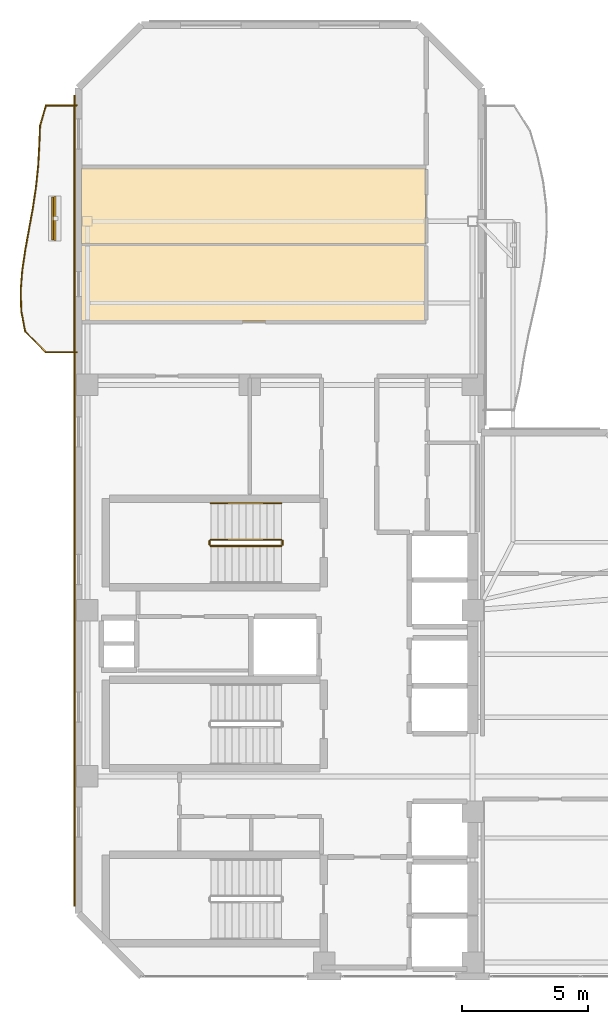
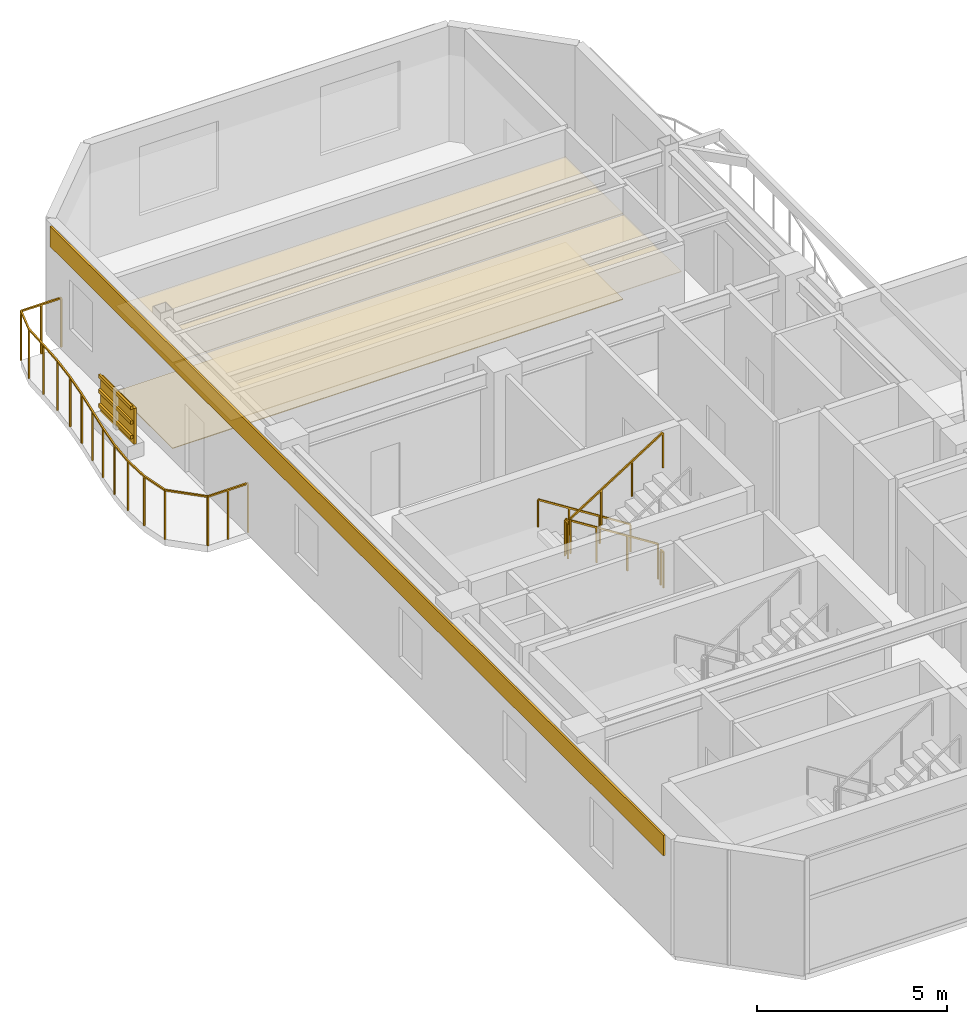
# One storey, part 14 of 15: 6 railings, 4 coverings, 4 shading devices.
"""IFC4 building model written with IfcOpenShell, lengths in metres."""

import ifcopenshell
import ifcopenshell.guid

model = None  # the IFC model being written
_history = None  # IfcOwnerHistory: only IFC2X3 demands one
_inside = {}  # id of a spatial element -> (the spatial element, [elements in it])
_under = {}  # id of a project, library or spatial element -> (it, [spatial elements below it])
_declared = {}  # id of a project -> (the project, [libraries it declares])
_typed = {}  # id of a type object -> (the type object, [elements of that type])
_made_of = {}  # id of a material, layer set ... -> (it, [elements and type objects made of it])


def new_model(schema):
    """Start an empty IFC model of exactly this schema.

    Asked for "IFC4X3", IfcOpenShell would pick the latest addendum, in which some entities
    have other attributes; the version numbers below select the first issue.
    IFC2X3 requires an IfcOwnerHistory on every rooted entity: one is made here for all.
    """
    global model, _history
    if schema == "IFC4X3":
        model = ifcopenshell.file(schema_version=(4, 3, 0, 0))
    else:
        model = ifcopenshell.file(schema=schema)
    _inside.clear()
    _under.clear()
    _declared.clear()
    _typed.clear()
    _made_of.clear()
    _history = None
    if model.schema == "IFC2X3":
        org = make("IfcOrganization", Name="unknown")
        user = make(
            "IfcPersonAndOrganization",
            ThePerson=make("IfcPerson", FamilyName="unknown"),
            TheOrganization=org,
        )
        app = make(
            "IfcApplication",
            ApplicationDeveloper=org,
            Version="unknown",
            ApplicationFullName="unknown",
            ApplicationIdentifier="unknown",
        )
        _history = make(
            "IfcOwnerHistory",
            OwningUser=user,
            OwningApplication=app,
            ChangeAction="ADDED",
            CreationDate=0,
        )
    return model


def make(cls, **values):
    """One entity of the class cls with the attributes given. An attribute that is None is left unset."""
    return model.create_entity(
        cls, **{name: value for name, value in values.items() if value is not None}
    )


def rooted(cls, **values):
    """An entity with a GlobalId (a new one), such as an element, a storey or a relation."""
    return make(cls, GlobalId=ifcopenshell.guid.new(), OwnerHistory=_history, **values)


def si_unit(unit_type, name, prefix=None):
    """IfcSIUnit, for example si_unit("LENGTHUNIT", "METRE", prefix="MILLI")."""
    return make("IfcSIUnit", UnitType=unit_type, Prefix=prefix, Name=name)


def assignment(units):
    """IfcUnitAssignment: the units of a project."""
    return None if units is None else make("IfcUnitAssignment", Units=units)


def point(xyz):
    """IfcCartesianPoint."""
    return None if xyz is None else make("IfcCartesianPoint", Coordinates=xyz)


def direction(xyz):
    """IfcDirection."""
    return None if xyz is None else make("IfcDirection", DirectionRatios=xyz)


def frame(location, z_axis=None, x_axis=None):
    """IfcAxis2Placement3D, a coordinate frame: its origin and axes. An axis left out is left unset."""
    return make(
        "IfcAxis2Placement3D",
        Location=point(location),
        Axis=direction(z_axis),
        RefDirection=direction(x_axis),
    )


def frame_2d(location, x_axis=None):
    """IfcAxis2Placement2D, a coordinate frame in the plane: its origin and x axis."""
    return make(
        "IfcAxis2Placement2D", Location=point(location), RefDirection=direction(x_axis)
    )


def origin():
    """The frame at (0, 0, 0) with its axes left unset."""
    return frame((0.0, 0.0, 0.0))


def origin_2d():
    """The frame at (0, 0) in the plane with its x axis left unset."""
    return frame_2d((0.0, 0.0))


def place(relative_to, where):
    """IfcLocalPlacement: puts the frame where relative to a parent placement (None: the world)."""
    return make(
        "IfcLocalPlacement", PlacementRelTo=relative_to, RelativePlacement=where
    )


def context(
    kind, dimensions, precision=None, world=None, true_north=None, identifier=None
):
    """IfcGeometricRepresentationContext, for example the 3D "Model" context."""
    return make(
        "IfcGeometricRepresentationContext",
        ContextIdentifier=identifier,
        ContextType=kind,
        CoordinateSpaceDimension=dimensions,
        Precision=precision,
        WorldCoordinateSystem=world,
        TrueNorth=true_north,
    )


def subcontext(parent, identifier, kind, view, scale=None):
    """IfcGeometricRepresentationSubContext, for example "Body" below "Model"."""
    return make(
        "IfcGeometricRepresentationSubContext",
        ContextIdentifier=identifier,
        ContextType=kind,
        ParentContext=parent,
        TargetScale=scale,
        TargetView=view,
    )


def project(units=None, contexts=None):
    """IfcProject with its units and contexts."""
    return rooted(
        "IfcProject",
        Name="project",
        RepresentationContexts=contexts,
        UnitsInContext=assignment(units),
    )


def spatial(cls, under=None, at=None, **own):
    """A site, building, storey or space (cls), placed at a placement, below another one or the project."""
    s = rooted(cls, ObjectPlacement=at, **own)
    if under is not None:
        _under.setdefault(under.id(), (under, []))[1].append(s)
    return s


def polyline(points):
    """IfcPolyline through the points."""
    return make("IfcPolyline", Points=[point(p) for p in points])


def profile(cls, at=None, kind="AREA", **sizes):
    """A parametric profile (cls). Its sizes go by their IFC names, for example OverallWidth=200.0."""
    return make(cls, ProfileType=kind, Position=at, **sizes)


def rectangle(**sizes):
    """IfcRectangleProfileDef."""
    return profile("IfcRectangleProfileDef", **sizes)


def outline(outer, holes=None, kind="AREA"):
    """IfcArbitraryClosedProfileDef: a profile drawn as a closed curve; with holes, ...WithVoids."""
    if holes is None:
        return make("IfcArbitraryClosedProfileDef", ProfileType=kind, OuterCurve=outer)
    return make(
        "IfcArbitraryProfileDefWithVoids",
        ProfileType=kind,
        OuterCurve=outer,
        InnerCurves=holes,
    )


def extrude(swept, where, along, depth):
    """IfcExtrudedAreaSolid: the profile swept, set in the frame where, extruded along a direction by depth."""
    return make(
        "IfcExtrudedAreaSolid",
        SweptArea=swept,
        Position=where,
        ExtrudedDirection=direction(along),
        Depth=depth,
    )


def shape(context_of_items, identifier, shape_type, items):
    """IfcShapeRepresentation: the items that make up one representation, for example the "Body"."""
    return make(
        "IfcShapeRepresentation",
        ContextOfItems=context_of_items,
        RepresentationIdentifier=identifier,
        RepresentationType=shape_type,
        Items=items,
    )


def material(Name=None, Category=None):
    """IfcMaterial."""
    return make("IfcMaterial", Name=Name, Category=Category)


def layer(
    of_material, thickness, ventilated=None, Name=None, Category=None, Priority=None
):
    """IfcMaterialLayer: one layer of a wall or slab, of a material (None: an air gap)."""
    return make(
        "IfcMaterialLayer",
        Material=of_material,
        LayerThickness=thickness,
        IsVentilated=ventilated,
        Name=Name,
        Category=Category,
        Priority=Priority,
    )


def layer_set(layers, Name=None):
    """IfcMaterialLayerSet."""
    return make("IfcMaterialLayerSet", MaterialLayers=layers, LayerSetName=Name)


def material_profile(
    of_material, cross_section, Name=None, Category=None, Priority=None
):
    """IfcMaterialProfile: a cross section and its material."""
    return make(
        "IfcMaterialProfile",
        Name=Name,
        Material=of_material,
        Profile=cross_section,
        Priority=Priority,
        Category=Category,
    )


def profile_set(profiles, Name=None, composite=None):
    """IfcMaterialProfileSet."""
    return make(
        "IfcMaterialProfileSet",
        Name=Name,
        MaterialProfiles=profiles,
        CompositeProfile=composite,
    )


def made_of(thing, what):
    """Note that an element or type object is made of a material, layer set ...; save() writes the relation."""
    if what is not None:
        _made_of.setdefault(what.id(), (what, []))[1].append(thing)
    return thing


def type_object(cls, material=None, **own):
    """A type object (cls), such as IfcWallType, which elements share."""
    return made_of(rooted(cls, **own), material)


def element(
    cls,
    number,
    at=None,
    inside=None,
    cuts=None,
    type_object=None,
    material=None,
    context=None,
    identifier="Body",
    shape_type=None,
    held_by="IfcProductDefinitionShape",
    body=None,
    shapes=None,
    **own,
):
    """One element of the class cls, such as IfcWall. Its Tag is "e" and its number.

    at: its placement. inside: the storey or other place that contains it. cuts: it is an
    opening in that element (IfcRelVoidsElement). A single representation is given by context,
    identifier, shape_type and body (its items); several are given by shapes. held_by: the class
    of the entity that holds the representations. save() writes the other relations.
    """
    e = rooted(cls, Tag="e%d" % number, ObjectPlacement=at, **own)
    if body is not None:
        shapes = [shape(context, identifier, shape_type, body)]
    if shapes is not None:
        e.Representation = make(held_by, Representations=shapes)
    if inside is not None:
        _inside.setdefault(inside.id(), (inside, []))[1].append(e)
    if cuts is not None:
        rooted(
            "IfcRelVoidsElement", RelatingBuildingElement=cuts, RelatedOpeningElement=e
        )
    if type_object is not None:
        _typed.setdefault(type_object.id(), (type_object, []))[1].append(e)
    return made_of(e, material)


def aggregate(whole, parts):
    """IfcRelAggregates: a whole, such as a stair, and the parts it consists of."""
    return rooted("IfcRelAggregates", RelatingObject=whole, RelatedObjects=parts)


def save(model, path):
    """Write the relations noted so far, then the file.

    IfcRelAggregates (storeys below a building ...), IfcRelContainedInSpatialStructure (elements
    in a storey), IfcRelDefinesByType, IfcRelAssociatesMaterial and IfcRelDeclares: one each for
    every whole, place, type object, material and project.
    """
    for whole, parts in _under.values():
        aggregate(whole, parts)
    for where, things in _inside.values():
        rooted(
            "IfcRelContainedInSpatialStructure",
            RelatedElements=things,
            RelatingStructure=where,
        )
    for kind, things in _typed.values():
        rooted("IfcRelDefinesByType", RelatedObjects=things, RelatingType=kind)
    for what, things in _made_of.values():
        rooted("IfcRelAssociatesMaterial", RelatedObjects=things, RelatingMaterial=what)
    for by, libraries in _declared.values():
        rooted("IfcRelDeclares", RelatingContext=by, RelatedDefinitions=libraries)
    model.write(path)


model = new_model("IFC4")

# Units and contexts
model_context = context("Model", 3, precision=1e-05, world=origin(), true_north=direction((0.0, 1.0)))
body_context = subcontext(model_context, "Body", "Model", "MODEL_VIEW")
ifc_project = project(units=[si_unit("LENGTHUNIT", "METRE"), si_unit("AREAUNIT", "SQUARE_METRE"), si_unit("VOLUMEUNIT", "CUBIC_METRE"), si_unit("PLANEANGLEUNIT", "RADIAN"), si_unit("MASSUNIT", "GRAM", prefix="KILO")], contexts=[model_context])

# Site, building, storey
site_placement = place(None, origin())
site = spatial("IfcSite", under=ifc_project, at=site_placement, CompositionType="ELEMENT")
building_placement = place(site_placement, origin())
building = spatial("IfcBuilding", under=site, at=building_placement, Name="Mawjaban Terraces University", CompositionType="ELEMENT")
storey_placement = place(building_placement, frame((0.0, 0.0, 295.0)))
storey = spatial("IfcBuildingStorey", under=building, at=storey_placement, Name="L72", CompositionType="ELEMENT", Elevation=295.0)

# Coverings
ifc_material_1 = material(Name="Acoustic mineral fibre ceiling tile", Category="masonry")
ifc_layer_1 = layer(ifc_material_1, 0.02001953125)
ifc_layer_set_1 = layer_set([ifc_layer_1], Name="Acoustic mineral fibre ceiling tile")
covering_type_1 = type_object("IfcCoveringType", Name="AcousticMineralCeiling_20", PredefinedType="CEILING", material=ifc_layer_set_1)
covering_1_placement = place(storey_placement, frame((0.0, 0.0, 2.75)))
element("IfcCovering", 1, at=covering_1_placement, inside=storey, type_object=covering_type_1, Name="L72 Departmental Office 8 Acoustic Ceiling", PredefinedType="CEILING", context=body_context, shape_type="SweptSolid", body=[
    extrude(outline(polyline([(22.114990234375, 29.0380859375), (22.114990234375, 26.030029296875), (35.77001953125, 26.030029296875), (35.77001953125, 29.0380859375), (22.114990234375, 29.0380859375)])), origin(), (0.0, 0.0, 1.0), 0.02001953125),
])
covering_2_placement = place(storey_placement, frame((0.0, 0.0, 2.75)))
element("IfcCovering", 2, at=covering_2_placement, inside=storey, type_object=covering_type_1, Name="L72 Quiet Reading Room 9 Acoustic Ceiling", PredefinedType="CEILING", context=body_context, shape_type="SweptSolid", body=[
    extrude(outline(polyline([(22.114990234375, 32.10595703125), (22.114990234375, 29.097900390625), (35.77001953125, 29.097900390625), (35.77001953125, 32.10595703125), (22.114990234375, 32.10595703125)])), origin(), (0.0, 0.0, 1.0), 0.02001953125),
])

# Railings
ifc_material_2 = material(Name="Galvanised powder-coated steel S355", Category="steel")
railing_type_1 = type_object("IfcRailingType", Name="BalconyBalustrade_1600", PredefinedType="BALUSTRADE", material=ifc_material_2)
railing_1_placement = place(storey_placement, frame((21.919921875, 24.800048828125, 0.0)))
element("IfcRailing", 3, at=railing_1_placement, inside=storey, type_object=railing_type_1, Name="L72 Balcony Guardrail west", PredefinedType="BALUSTRADE", context=body_context, shape_type="SweptSolid", body=[
    extrude(rectangle(XDim=0.048095703125, YDim=0.048095703125, at=origin_2d()), frame((0.0, 0.0, 1.576171875), z_axis=(-1.0, 0.0, 0.0), x_axis=(0.0, -1.0, 0.0)), (0.0, 0.0, 1.0), 1.219970703125),
    extrude(rectangle(XDim=0.048095703125, YDim=0.048095703125, at=origin_2d()), frame((-1.219970703125, 0.0, 1.576171875), z_axis=(-0.710568043921, 0.703628492145, 0.0), x_axis=(-0.703628492145, -0.710568043921, 0.0)), (0.0, 0.0, 1.0), 1.160888671875),
    extrude(rectangle(XDim=0.048095703125, YDim=0.048095703125, at=origin_2d()), frame((-2.044921875, 0.81689453125, 1.576171875), z_axis=(-0.186612427055, 0.982433612041, 0.0), x_axis=(-0.982433612041, -0.186612427055, 0.0)), (0.0, 0.0, 1.0), 0.830810546875),
    extrude(rectangle(XDim=0.048095703125, YDim=0.048095703125, at=origin_2d()), frame((-2.199951171875, 1.633056640625, 1.576171875), z_axis=(-0.029276148669, 0.999571361694, 0.0), x_axis=(-0.999571361694, -0.029276148669, 0.0)), (0.0, 0.0, 1.0), 0.817138671875),
    extrude(rectangle(XDim=0.048095703125, YDim=0.048095703125, at=origin_2d()), frame((-2.223876953125, 2.449951171875, 1.576171875), z_axis=(0.079247882329, 0.996854940875, 0.0), x_axis=(-0.996854940875, 0.079247882329, 0.0)), (0.0, 0.0, 1.0), 0.819580078125),
    extrude(rectangle(XDim=0.048095703125, YDim=0.048095703125, at=origin_2d()), frame((-2.158935546875, 3.266845703125, 1.576171875), z_axis=(0.147920908399, 0.988999193558, 0.0), x_axis=(-0.988999193558, 0.147920908399, 0.0)), (0.0, 0.0, 1.0), 0.8251953125),
    extrude(rectangle(XDim=0.048095703125, YDim=0.048095703125, at=origin_2d()), frame((-2.036865234375, 4.0830078125, 1.576171875), z_axis=(0.178212541097, 0.983992017344, 0.0), x_axis=(-0.983992017344, 0.178212541097, 0.0)), (0.0, 0.0, 1.0), 0.830078125),
    extrude(rectangle(XDim=0.048095703125, YDim=0.048095703125, at=origin_2d()), frame((-1.888916015625, 4.89990234375, 1.576171875), z_axis=(0.178160985967, 0.98400135319, 0.0), x_axis=(-0.98400135319, 0.178160985967, 0.0)), (0.0, 0.0, 1.0), 0.830322265625),
    extrude(rectangle(XDim=0.048095703125, YDim=0.048095703125, at=origin_2d()), frame((-1.740966796875, 5.717041015625, 1.576171875), z_axis=(0.147964200706, 0.988992717521, 0.0), x_axis=(-0.988992717521, 0.147964200706, 0.0)), (0.0, 0.0, 1.0), 0.824951171875),
    extrude(rectangle(XDim=0.048095703125, YDim=0.048095703125, at=origin_2d()), frame((-1.618896484375, 6.532958984375, 1.576171875), z_axis=(0.10462289655, 0.994511965497, 0.0), x_axis=(-0.994511965497, 0.10462289655, 0.0)), (0.0, 0.0, 1.0), 0.8212890625),
    extrude(rectangle(XDim=0.048095703125, YDim=0.048095703125, at=origin_2d()), frame((-1.532958984375, 7.349853515625, 1.576171875), z_axis=(0.057567949493, 0.998341590434, 0.0), x_axis=(-0.998341590434, 0.057567949493, 0.0)), (0.0, 0.0, 1.0), 0.818603515625),
    extrude(rectangle(XDim=0.048095703125, YDim=0.048095703125, at=origin_2d()), frame((-1.48583984375, 8.1669921875, 1.576171875), z_axis=(0.039168005907, 0.999232639235, 0.0), x_axis=(-0.999232639235, 0.039168005907, 0.0)), (0.0, 0.0, 1.0), 0.816650390625),
    extrude(rectangle(XDim=0.048095703125, YDim=0.048095703125, at=origin_2d()), frame((-1.453857421875, 8.98291015625, 1.576171875), z_axis=(0.275176346112, 0.961393768724, 0.0), x_axis=(-0.961393768724, 0.275176346112, 0.0)), (0.0, 0.0, 1.0), 0.849853515625),
    extrude(rectangle(XDim=0.048095703125, YDim=0.048095703125, at=origin_2d()), frame((-1.219970703125, 9.800048828125, 1.576171875), z_axis=(1.0, 0.0, 0.0), x_axis=(0.0, 1.0, 0.0)), (0.0, 0.0, 1.0), 1.219970703125),
    extrude(rectangle(XDim=0.0419921875, YDim=0.0419921875, at=origin_2d()), origin(), (0.0, 0.0, 1.0), 1.552001953125),
    extrude(rectangle(XDim=0.0419921875, YDim=0.0419921875, at=origin_2d()), frame((-0.60986328125, 0.0, 0.0)), (0.0, 0.0, 1.0), 1.552001953125),
    extrude(rectangle(XDim=0.0419921875, YDim=0.0419921875, at=origin_2d()), frame((-1.219970703125, 0.0, 0.0)), (0.0, 0.0, 1.0), 1.552001953125),
    extrude(rectangle(XDim=0.0419921875, YDim=0.0419921875, at=origin_2d()), frame((-2.044921875, 0.81689453125, 0.0)), (0.0, 0.0, 1.0), 1.552001953125),
    extrude(rectangle(XDim=0.0419921875, YDim=0.0419921875, at=origin_2d()), frame((-2.199951171875, 1.633056640625, 0.0)), (0.0, 0.0, 1.0), 1.552001953125),
    extrude(rectangle(XDim=0.0419921875, YDim=0.0419921875, at=origin_2d()), frame((-2.223876953125, 2.449951171875, 0.0)), (0.0, 0.0, 1.0), 1.552001953125),
    extrude(rectangle(XDim=0.0419921875, YDim=0.0419921875, at=origin_2d()), frame((-2.158935546875, 3.266845703125, 0.0)), (0.0, 0.0, 1.0), 1.552001953125),
    extrude(rectangle(XDim=0.0419921875, YDim=0.0419921875, at=origin_2d()), frame((-2.036865234375, 4.0830078125, 0.0)), (0.0, 0.0, 1.0), 1.552001953125),
    extrude(rectangle(XDim=0.0419921875, YDim=0.0419921875, at=origin_2d()), frame((-1.888916015625, 4.89990234375, 0.0)), (0.0, 0.0, 1.0), 1.552001953125),
    extrude(rectangle(XDim=0.0419921875, YDim=0.0419921875, at=origin_2d()), frame((-1.740966796875, 5.717041015625, 0.0)), (0.0, 0.0, 1.0), 1.552001953125),
    extrude(rectangle(XDim=0.0419921875, YDim=0.0419921875, at=origin_2d()), frame((-1.618896484375, 6.532958984375, 0.0)), (0.0, 0.0, 1.0), 1.552001953125),
    extrude(rectangle(XDim=0.0419921875, YDim=0.0419921875, at=origin_2d()), frame((-1.532958984375, 7.349853515625, 0.0)), (0.0, 0.0, 1.0), 1.552001953125),
    extrude(rectangle(XDim=0.0419921875, YDim=0.0419921875, at=origin_2d()), frame((-1.48583984375, 8.1669921875, 0.0)), (0.0, 0.0, 1.0), 1.552001953125),
    extrude(rectangle(XDim=0.0419921875, YDim=0.0419921875, at=origin_2d()), frame((-1.453857421875, 8.98291015625, 0.0)), (0.0, 0.0, 1.0), 1.552001953125),
    extrude(rectangle(XDim=0.0419921875, YDim=0.0419921875, at=origin_2d()), frame((-1.219970703125, 9.800048828125, 0.0)), (0.0, 0.0, 1.0), 1.552001953125),
    extrude(rectangle(XDim=0.0419921875, YDim=0.0419921875, at=origin_2d()), frame((-0.60986328125, 9.800048828125, 0.0)), (0.0, 0.0, 1.0), 1.552001953125),
    extrude(rectangle(XDim=0.0419921875, YDim=0.0419921875, at=origin_2d()), frame((0.0, 9.800048828125, 0.0)), (0.0, 0.0, 1.0), 1.552001953125),
])
ifc_material_3 = material(Name="Brushed stainless steel 316", Category="steel")
railing_type_2 = type_object("IfcRailingType", Name="StairWallHandrail_900", PredefinedType="HANDRAIL", material=ifc_material_3)
railing_2_placement = place(storey_placement, frame((30.050048828125, 18.800048828125, 0.17724609375)))
element("IfcRailing", 4, at=railing_2_placement, inside=storey, type_object=railing_type_2, Name="L72 ST-2 stair handrail 1", PredefinedType="HANDRAIL", context=body_context, shape_type="SweptSolid", body=[
    extrude(rectangle(XDim=0.048095703125, YDim=0.048095703125, at=origin_2d()), frame((0.0, 0.0, 0.8759765625), z_axis=(-0.844908973607, 0.0, 0.534910110503), x_axis=(0.0, -1.0, 0.0)), (0.0, 0.0, 1.0), 3.31396484375),
    extrude(rectangle(XDim=0.0419921875, YDim=0.0419921875, at=origin_2d()), origin(), (0.0, 0.0, 1.0), 0.851806640625),
    extrude(rectangle(XDim=0.0419921875, YDim=0.0419921875, at=origin_2d()), frame((-0.933349609375, 0.0, 0.5908203125)), (0.0, 0.0, 1.0), 0.851806640625),
    extrude(rectangle(XDim=0.0419921875, YDim=0.0419921875, at=origin_2d()), frame((-1.86669921875, 0.0, 1.181884765625)), (0.0, 0.0, 1.0), 0.851806640625),
    extrude(rectangle(XDim=0.0419921875, YDim=0.0419921875, at=origin_2d()), frame((-2.800048828125, 0.0, 1.772705078125)), (0.0, 0.0, 1.0), 0.851806640625),
])
ifc_material_4 = material(Name="Galvanised painted steel S355", Category="steel")
railing_type_3 = type_object("IfcRailingType", Name="StairWellGuard_1150", PredefinedType="BALUSTRADE", material=ifc_material_4)
railing_3_placement = place(storey_placement, frame((30.050048828125, 17.35009765625, 0.17724609375)))
element("IfcRailing", 5, at=railing_3_placement, inside=storey, type_object=railing_type_3, Name="L72 ST-2 stair guard 1", PredefinedType="BALUSTRADE", context=body_context, shape_type="SweptSolid", body=[
    extrude(rectangle(XDim=0.048095703125, YDim=0.048095703125, at=origin_2d()), frame((0.0, 0.0, 1.1259765625), z_axis=(-0.844908973607, 0.0, 0.534910110503), x_axis=(0.0, -1.0, 0.0)), (0.0, 0.0, 1.0), 3.31396484375),
    extrude(rectangle(XDim=0.0419921875, YDim=0.0419921875, at=origin_2d()), origin(), (0.0, 0.0, 1.0), 1.101806640625),
    extrude(rectangle(XDim=0.0419921875, YDim=0.0419921875, at=origin_2d()), frame((-0.933349609375, 0.0, 0.5908203125)), (0.0, 0.0, 1.0), 1.101806640625),
    extrude(rectangle(XDim=0.0419921875, YDim=0.0419921875, at=origin_2d()), frame((-1.86669921875, 0.0, 1.181884765625)), (0.0, 0.0, 1.0), 1.101806640625),
    extrude(rectangle(XDim=0.0419921875, YDim=0.0419921875, at=origin_2d()), frame((-2.800048828125, 0.0, 1.772705078125)), (0.0, 0.0, 1.0), 1.101806640625),
])
railing_4_placement = place(storey_placement, frame((27.199951171875, 17.300048828125, 1.949951171875)))
element("IfcRailing", 6, at=railing_4_placement, inside=storey, type_object=railing_type_3, Name="L72 ST-2 stair guard 2", PredefinedType="BALUSTRADE", context=body_context, shape_type="SweptSolid", body=[
    extrude(rectangle(XDim=0.048095703125, YDim=0.048095703125, at=origin_2d()), frame((0.0, 0.0, 1.1259765625), z_axis=(0.0, -1.0, 0.0), x_axis=(1.0, 0.0, 0.0)), (0.0, 0.0, 1.0), 0.150146484375),
    extrude(rectangle(XDim=0.0419921875, YDim=0.0419921875, at=origin_2d()), origin(), (0.0, 0.0, 1.0), 1.101806640625),
    extrude(rectangle(XDim=0.0419921875, YDim=0.0419921875, at=origin_2d()), frame((0.0, -0.150146484375, 0.0)), (0.0, 0.0, 1.0), 1.101806640625),
])
railing_5_placement = place(storey_placement, frame((27.25, 17.10009765625, 2.127197265625)))
element("IfcRailing", 7, at=railing_5_placement, inside=storey, type_object=railing_type_3, Name="L72 ST-2 stair guard 3", PredefinedType="BALUSTRADE", context=body_context, shape_type="SweptSolid", body=[
    extrude(rectangle(XDim=0.048095703125, YDim=0.048095703125, at=origin_2d()), frame((0.0, 0.0, 1.1259765625), z_axis=(0.844908973607, 0.0, 0.534910110503), x_axis=(0.0, 1.0, 0.0)), (0.0, 0.0, 1.0), 3.31396484375),
    extrude(rectangle(XDim=0.0419921875, YDim=0.0419921875, at=origin_2d()), origin(), (0.0, 0.0, 1.0), 1.101806640625),
    extrude(rectangle(XDim=0.0419921875, YDim=0.0419921875, at=origin_2d()), frame((0.933349609375, 0.0, 0.5908203125)), (0.0, 0.0, 1.0), 1.101806640625),
    extrude(rectangle(XDim=0.0419921875, YDim=0.0419921875, at=origin_2d()), frame((1.86669921875, 0.0, 1.181884765625)), (0.0, 0.0, 1.0), 1.101806640625),
    extrude(rectangle(XDim=0.0419921875, YDim=0.0419921875, at=origin_2d()), frame((2.800048828125, 0.0, 1.772705078125)), (0.0, 0.0, 1.0), 1.101806640625),
])
railing_6_placement = place(storey_placement, frame((30.10009765625, 17.300048828125, 0.0)))
element("IfcRailing", 8, at=railing_6_placement, inside=storey, type_object=railing_type_3, Name="L72 ST-2 stair guard 4", PredefinedType="BALUSTRADE", context=body_context, shape_type="SweptSolid", body=[
    extrude(rectangle(XDim=0.048095703125, YDim=0.048095703125, at=origin_2d()), frame((0.0, 0.0, 1.1259765625), z_axis=(0.0, -1.0, 0.0), x_axis=(1.0, 0.0, 0.0)), (0.0, 0.0, 1.0), 0.150146484375),
    extrude(rectangle(XDim=0.0419921875, YDim=0.0419921875, at=origin_2d()), origin(), (0.0, 0.0, 1.0), 1.101806640625),
    extrude(rectangle(XDim=0.0419921875, YDim=0.0419921875, at=origin_2d()), frame((0.0, -0.150146484375, 0.0)), (0.0, 0.0, 1.0), 1.101806640625),
])

# Shading devices
ifc_material_5 = material(Name="Glazed architectural terracotta ceramic", Category="masonry")
ifc_material_profile = material_profile(ifc_material_5, rectangle(XDim=0.06494140625, YDim=0.110107421875, at=origin_2d()), Name="TBAG110X65")
ifc_profile_set = profile_set([ifc_material_profile], Name="Glazed architectural terracotta ceramic")
shading_device_type_1 = type_object("IfcShadingDeviceType", Name="TerracottaBaguette_110x65", PredefinedType="USERDEFINED", material=ifc_profile_set)
for number, where, z_axis, x_axis, name in (
    (9, (20.971923828125, 29.258056640625, 0.679931640625), (0.0, 1.0, 0.0), (-1.0, 0.0, 0.0), "L72 Horizontal Terracotta Baguette west.1"),
    (10, (20.971923828125, 29.258056640625, 1.14990234375), (0.0, 1.0, 0.0), (-1.0, 0.0, 0.0), "L72 Horizontal Terracotta Baguette west.2"),
    (11, (20.971923828125, 29.258056640625, 1.6201171875), (0.0, 1.0, 0.0), (-1.0, 0.0, 0.0), "L72 Horizontal Terracotta Baguette west.3"),
):
    element("IfcShadingDevice", number, at=place(storey_placement, frame(where, z_axis=z_axis, x_axis=x_axis)), inside=storey, type_object=shading_device_type_1, Name=name, ObjectType="BAGUETTE", PredefinedType="USERDEFINED", context=body_context, shape_type="SweptSolid", body=[
        extrude(rectangle(XDim=0.06494140625, YDim=0.110107421875, at=origin_2d()), origin(), (0.0, 0.0, 1.0), 1.699951171875),
    ])
ifc_layer_2 = layer(ifc_material_5, 0.080078125)
ifc_layer_set_2 = layer_set([ifc_layer_2], Name="Glazed architectural terracotta ceramic")
shading_device_type_2 = type_object("IfcShadingDeviceType", Name="TerracottaScreen_Perforated", PredefinedType="USERDEFINED", material=ifc_layer_set_2)
shading_device_placement = place(storey_placement, frame((21.056884765625, 30.10791015625, 0.43994140625), z_axis=(0.0, 0.0, 1.0), x_axis=(0.0, 1.0, 0.0)))
element("IfcShadingDevice", 12, at=shading_device_placement, inside=storey, type_object=shading_device_type_2, Name="L72 Balcony Perforated Terracotta Screen west", ObjectType="SCREEN", PredefinedType="USERDEFINED", context=body_context, shape_type="SweptSolid", body=[
    extrude(rectangle(XDim=1.75, YDim=0.080078125, at=origin_2d()), origin(), (0.0, 0.0, 1.0), 1.14990234375),
])

# Coverings
ifc_material_6 = material(Name="Glazed architectural terracotta rainscreen", Category="masonry")
ifc_layer_3 = layer(ifc_material_6, 0.06005859375)
ifc_layer_set_3 = layer_set([ifc_layer_3], Name="Glazed architectural terracotta rainscreen")
covering_type_2 = type_object("IfcCoveringType", Name="TerracottaSpandrelCladding_60", PredefinedType="CLADDING", material=ifc_layer_set_3)
covering_3_placement = place(storey_placement, frame((21.8369140625, 18.89990234375, 3.01513671875), z_axis=(0.0, 0.0, 1.0), x_axis=(0.0, -1.0, 0.0)))
element("IfcCovering", 13, at=covering_3_placement, inside=storey, type_object=covering_type_2, Name="L72 Terracotta Spandrel Cladding 13", PredefinedType="CLADDING", context=body_context, shape_type="SweptSolid", body=[
    extrude(rectangle(XDim=32.199951171875, YDim=0.06005859375, at=origin_2d()), origin(), (0.0, 0.0, 1.0), 0.64990234375),
])
ifc_material_7 = material(Name="Polished Hijazi granite terrazzo flooring", Category="masonry")
ifc_layer_4 = layer(ifc_material_7, 0.02490234375)
ifc_layer_set_4 = layer_set([ifc_layer_4], Name="Polished Hijazi granite terrazzo flooring")
covering_type_3 = type_object("IfcCoveringType", Name="TerrazzoConcourseFlooring_25", PredefinedType="FLOORING", material=ifc_layer_set_4)
covering_4_placement = place(storey_placement, origin())
element("IfcCovering", 14, at=covering_4_placement, inside=storey, type_object=covering_type_3, Name="L72 Quiet Reading Room 9 Terrazzo Flooring", PredefinedType="FLOORING", context=body_context, shape_type="SweptSolid", body=[
    extrude(outline(polyline([(22.114990234375, 32.10595703125), (22.114990234375, 29.097900390625), (35.77001953125, 29.097900390625), (35.77001953125, 32.10595703125), (22.114990234375, 32.10595703125)])), origin(), (0.0, 0.0, 1.0), 0.02490234375),
])

save(model, "model.ifc")
